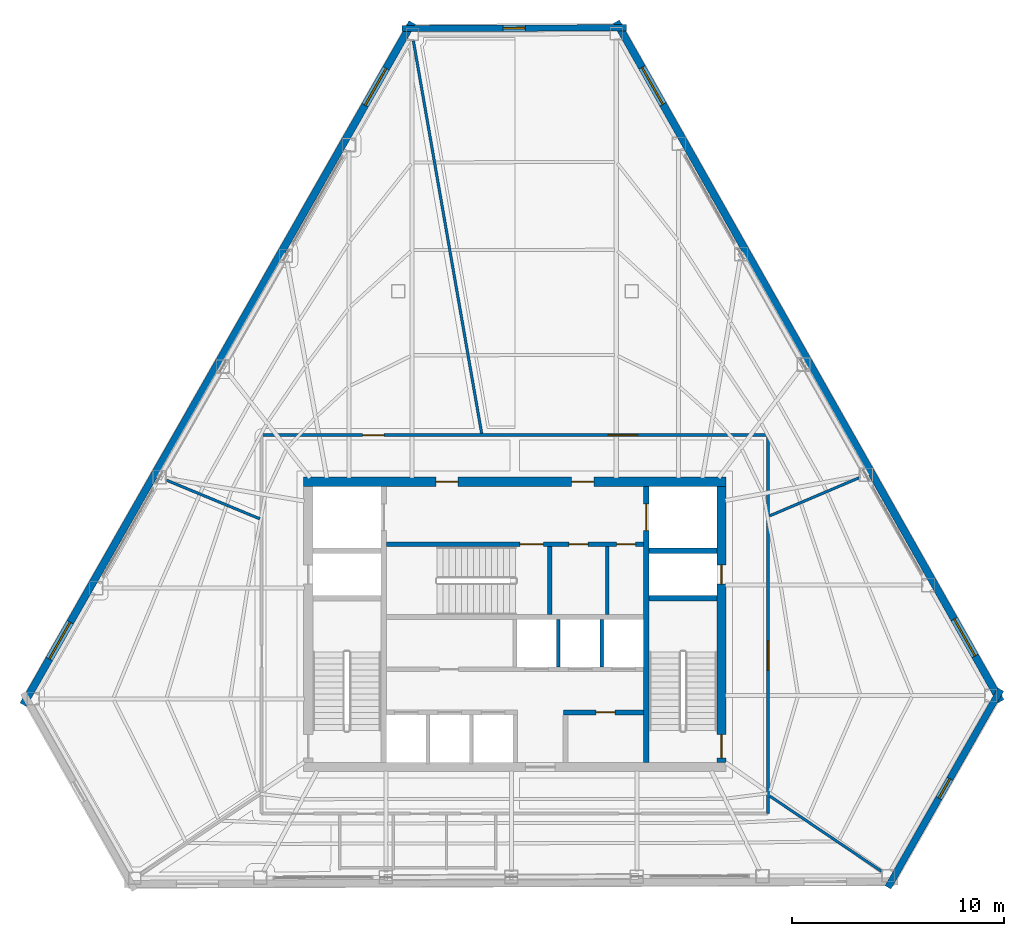
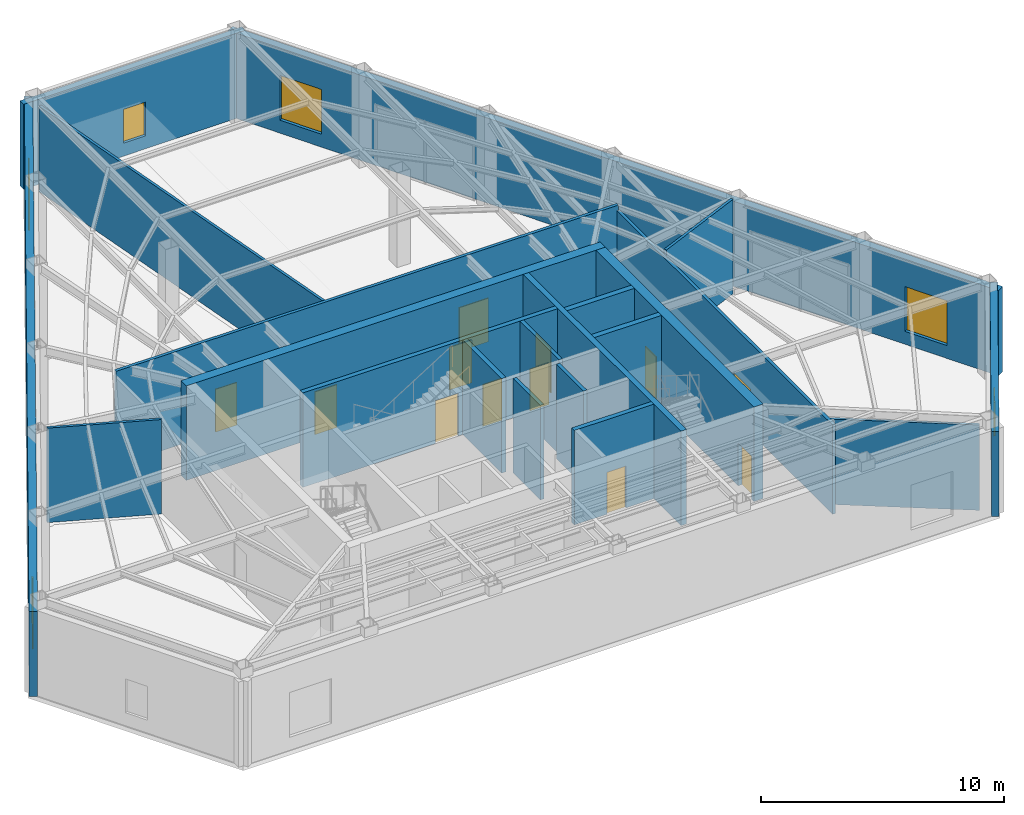
# One storey, part 11 of 14: 21 walls, 12 doors, 6 windows, 18 openings.
"""IFC4 building model written with IfcOpenShell, lengths in metres."""

from ifc_helpers import new_model, si_unit, direction, frame, frame_2d, origin, place, context, subcontext, project, spatial, rectangle, extrude, material, layer, layer_set, type_object, element, fill, save


model = new_model("IFC4")

# Units and contexts
model_context = context("Model", 3, precision=1e-05, world=origin(), true_north=direction((0.0, 1.0)))
body_context = subcontext(model_context, "Body", "Model", "MODEL_VIEW")
ifc_project = project(units=[si_unit("LENGTHUNIT", "METRE"), si_unit("AREAUNIT", "SQUARE_METRE"), si_unit("VOLUMEUNIT", "CUBIC_METRE"), si_unit("PLANEANGLEUNIT", "RADIAN"), si_unit("MASSUNIT", "GRAM", prefix="KILO")], contexts=[model_context])

# Site, building, storey
site_placement = place(None, origin())
site = spatial("IfcSite", under=ifc_project, at=site_placement, CompositionType="ELEMENT")
building_placement = place(site_placement, origin())
building = spatial("IfcBuilding", under=site, at=building_placement, Name="Kavelnor Concourse Tower", CompositionType="ELEMENT")
storey_placement = place(building_placement, frame((0.0, 0.0, 160.0)))
storey = spatial("IfcBuildingStorey", under=building, at=storey_placement, Name="L40", CompositionType="ELEMENT", Elevation=160.0)

# Wall, openings, doors
ifc_material_1 = material(Name="Concrete C50/60", Category="concrete")
ifc_layer_1 = layer(ifc_material_1, 0.43994140625, Name="Concrete C50/60")
ifc_layer_set_1 = layer_set([ifc_layer_1], Name="Concrete C50/60")
wall_type_1 = type_object("IfcWallType", Name="WL-CORE-Z3-440", PredefinedType="SOLIDWALL", material=ifc_layer_set_1)
wall_1_placement = place(storey_placement, frame((28.0400390625, 22.820068359375, 0.0), z_axis=(0.0, 0.0, 1.0), x_axis=(1.0, 0.0, 0.0)))
wall_1 = element("IfcWall", 1, at=wall_1_placement, inside=storey, type_object=wall_type_1, Name="L40 Central Core North Shear Wall", PredefinedType="SOLIDWALL", context=body_context, shape_type="SweptSolid", body=[
    extrude(rectangle(XDim=19.919921875, YDim=0.43994140625, at=frame_2d((9.9599609375, 0.0))), origin(), (0.0, 0.0, 1.0), 4.75),
])
opening_1_placement = place(wall_1_placement, frame((6.235107421875, 0.0, 0.0)))
opening_1 = element("IfcOpeningElement", 2, at=opening_1_placement, cuts=wall_1, Name="Opening FD-105", PredefinedType="OPENING", context=body_context, shape_type="SweptSolid", body=[
    extrude(rectangle(XDim=1.050048828125, YDim=2.14990234375, at=frame_2d((0.52490234375, 1.074951171875))), frame((0.0, 0.22998046875, 0.0), z_axis=(0.0, -1.0, 0.0), x_axis=(1.0, 0.0, 0.0)), (0.0, 0.0, 1.0), 0.4599609375),
])
opening_2_placement = place(wall_1_placement, frame((12.635009765625, 0.0, 0.0)))
opening_2 = element("IfcOpeningElement", 3, at=opening_2_placement, cuts=wall_1, Name="Opening FD-105", PredefinedType="OPENING", context=body_context, shape_type="SweptSolid", body=[
    extrude(rectangle(XDim=1.050048828125, YDim=2.14990234375, at=frame_2d((0.52490234375, 1.074951171875))), frame((0.0, 0.22998046875, 0.0), z_axis=(0.0, -1.0, 0.0), x_axis=(1.0, 0.0, 0.0)), (0.0, 0.0, 1.0), 0.4599609375),
])
ifc_material_2 = material(Name="Steel Grade 350", Category="steel")
door_type_1 = type_object("IfcDoorType", Name="DR-LOBBY-FIRE-1050", OperationType="NOTDEFINED", PredefinedType="DOOR", material=ifc_material_2)
door_1_placement = place(opening_1_placement, origin())
door_1 = element("IfcDoor", 4, at=door_1_placement, inside=storey, type_object=door_type_1, Name="L40 Emergency Lift Lobby West Door", OperationType="SINGLE_SWING_LEFT", OverallHeight=2.14990234375, OverallWidth=1.050048828125, PredefinedType="DOOR", context=body_context, shape_type="SweptSolid", body=[
    extrude(rectangle(XDim=1.050048828125, YDim=2.14990234375, at=frame_2d((0.52490234375, 1.074951171875))), frame((0.0, 0.02490234375, 0.0), z_axis=(0.0, -1.0, 0.0), x_axis=(1.0, 0.0, 0.0)), (0.0, 0.0, 1.0), 0.050048828125),
])
fill(opening_1, door_1)
door_2_placement = place(opening_2_placement, origin())
door_2 = element("IfcDoor", 5, at=door_2_placement, inside=storey, type_object=door_type_1, Name="L40 Emergency Lift Lobby East Door", OperationType="SINGLE_SWING_RIGHT", OverallHeight=2.14990234375, OverallWidth=1.050048828125, PredefinedType="DOOR", context=body_context, shape_type="SweptSolid", body=[
    extrude(rectangle(XDim=1.050048828125, YDim=2.14990234375, at=frame_2d((0.52490234375, 1.074951171875))), frame((0.0, 0.02490234375, 0.0), z_axis=(0.0, -1.0, 0.0), x_axis=(1.0, 0.0, 0.0)), (0.0, 0.0, 1.0), 0.050048828125),
])
fill(opening_2, door_2)

wall_2_placement = place(storey_placement, frame((47.739990234375, 9.60009765625, 0.0), z_axis=(0.0, 0.0, 1.0), x_axis=(0.0, 1.0, 0.0)))
wall_2 = element("IfcWall", 6, at=wall_2_placement, inside=storey, type_object=wall_type_1, Name="L40 Central Core East Shear Wall", PredefinedType="SOLIDWALL", context=body_context, shape_type="SweptSolid", body=[
    extrude(rectangle(XDim=13.0, YDim=0.43994140625, at=frame_2d((6.5, 0.0))), origin(), (0.0, 0.0, 1.0), 4.75),
])
opening_3_placement = place(wall_2_placement, frame((0.199951171875, 0.0, 0.0)))
opening_3 = element("IfcOpeningElement", 7, at=opening_3_placement, cuts=wall_2, Name="Opening FD-110", PredefinedType="OPENING", context=body_context, shape_type="SweptSolid", body=[
    extrude(rectangle(XDim=1.10009765625, YDim=2.14990234375, at=frame_2d((0.550048828125, 1.074951171875))), frame((0.0, 0.22998046875, 0.0), z_axis=(0.0, -1.0, 0.0), x_axis=(1.0, 0.0, 0.0)), (0.0, 0.0, 1.0), 0.4599609375),
])
opening_4_placement = place(wall_2_placement, frame((8.39990234375, 0.0, 0.0)))
opening_4 = element("IfcOpeningElement", 8, at=opening_4_placement, cuts=wall_2, Name="Opening FD-090", PredefinedType="OPENING", context=body_context, shape_type="SweptSolid", body=[
    extrude(rectangle(XDim=0.89990234375, YDim=2.10009765625, at=frame_2d((0.449951171875, 1.050048828125))), frame((0.0, 0.22998046875, 0.0), z_axis=(0.0, -1.0, 0.0), x_axis=(1.0, 0.0, 0.0)), (0.0, 0.0, 1.0), 0.4599609375),
])
door_type_2 = type_object("IfcDoorType", Name="DR-RISER-FIRE-900", OperationType="NOTDEFINED", PredefinedType="DOOR", material=ifc_material_2)
door_3_placement = place(opening_4_placement, origin())
door_3 = element("IfcDoor", 9, at=door_3_placement, inside=storey, type_object=door_type_2, Name="L40 East Riser Access Door", OperationType="SINGLE_SWING_LEFT", OverallHeight=2.10009765625, OverallWidth=0.89990234375, PredefinedType="DOOR", context=body_context, shape_type="SweptSolid", body=[
    extrude(rectangle(XDim=0.89990234375, YDim=2.10009765625, at=frame_2d((0.449951171875, 1.050048828125))), frame((0.0, 0.02490234375, 0.0), z_axis=(0.0, -1.0, 0.0), x_axis=(1.0, 0.0, 0.0)), (0.0, 0.0, 1.0), 0.050048828125),
])
fill(opening_4, door_3)
door_type_3 = type_object("IfcDoorType", Name="DR-STAIR-FIRE-1100", OperationType="NOTDEFINED", PredefinedType="DOOR", material=ifc_material_2)
door_4_placement = place(opening_3_placement, origin())
door_4 = element("IfcDoor", 10, at=door_4_placement, inside=storey, type_object=door_type_3, Name="L40 Stair ST2 Fire Door", OperationType="SINGLE_SWING_RIGHT", OverallHeight=2.14990234375, OverallWidth=1.10009765625, PredefinedType="DOOR", context=body_context, shape_type="SweptSolid", body=[
    extrude(rectangle(XDim=1.10009765625, YDim=2.14990234375, at=frame_2d((0.550048828125, 1.074951171875))), frame((0.0, 0.02490234375, 0.0), z_axis=(0.0, -1.0, 0.0), x_axis=(1.0, 0.0, 0.0)), (0.0, 0.0, 1.0), 0.050048828125),
])
fill(opening_3, door_4)

# Wall, opening, window
ifc_material_3 = material(Name="Buff ironspot clay face brick masonry", Category="masonry")
ifc_layer_2 = layer(ifc_material_3, 0.300048828125, Name="Buff ironspot clay face brick masonry")
ifc_layer_set_2 = layer_set([ifc_layer_2], Name="Buff ironspot clay face brick masonry")
wall_type_2 = type_object("IfcWallType", Name="WL-EXT-BUFF-BRICK-FOLD-300", PredefinedType="STANDARD", material=ifc_layer_set_2)
wall_3_placement = place(storey_placement, frame((32.68310546875, 44.184814453125, 0.0), z_axis=(0.0, 0.0, 1.0), x_axis=(0.9999942421, 0.003393488933, 0.0)))
wall_3 = element("IfcWall", 11, at=wall_3_placement, inside=storey, type_object=wall_type_2, Name="L40 Exterior Brick Facade Wall E0", PredefinedType="STANDARD", context=body_context, shape_type="SweptSolid", body=[
    extrude(rectangle(XDim=10.57568359375, YDim=0.300048828125, at=frame_2d((5.287841796875, 0.0))), origin(), (0.0, 0.0, 1.0), 4.281982421875),
])
opening_5_placement = place(wall_3_placement, frame((4.762939453125, 0.0, 0.64990234375)))
opening_5 = element("IfcOpeningElement", 12, at=opening_5_placement, cuts=wall_3, Name="Opening W-06", PredefinedType="OPENING", context=body_context, shape_type="SweptSolid", body=[
    extrude(rectangle(XDim=1.050048828125, YDim=1.699951171875, at=frame_2d((0.52490234375, 0.85009765625))), frame((0.0, 0.16015625, 0.0), z_axis=(0.0, -1.0, 0.0), x_axis=(1.0, 0.0, 0.0)), (0.0, 0.0, 1.0), 0.320068359375),
])
ifc_material_4 = material(Name="Double low-E argon insulated glazing", Category="glass")
window_type_1 = type_object("IfcWindowType", Name="WIN-FOLD-1050", PartitioningType="SINGLE_PANEL", PredefinedType="WINDOW", material=ifc_material_4)
window_1_placement = place(opening_5_placement, origin())
window_1 = element("IfcWindow", 13, at=window_1_placement, inside=storey, type_object=window_type_1, Name="L40 Chamfer-Fold Facet Window C0", OverallHeight=1.699951171875, OverallWidth=1.050048828125, PartitioningType="SINGLE_PANEL", PredefinedType="WINDOW", context=body_context, shape_type="SweptSolid", body=[
    extrude(rectangle(XDim=1.050048828125, YDim=1.699951171875, at=frame_2d((0.52490234375, 0.85009765625))), frame((0.0, 0.030029296875, 0.0), z_axis=(0.0, -1.0, 0.0), x_axis=(1.0, 0.0, 0.0)), (0.0, 0.0, 1.0), 0.06005859375),
])
fill(opening_5, window_1)

ifc_layer_3 = layer(ifc_material_3, 0.320068359375, Name="Buff ironspot clay face brick masonry")
ifc_layer_set_3 = layer_set([ifc_layer_3], Name="Buff ironspot clay face brick masonry")
wall_type_3 = type_object("IfcWallType", Name="WL-EXT-BUFF-BRICK-SPANDREL-320", PredefinedType="STANDARD", material=ifc_layer_set_3)
wall_4_placement = place(storey_placement, frame((60.902587890625, 13.025634765625, 0.0), z_axis=(0.0, 0.0, 1.0), x_axis=(-0.495408589086, -0.86866007728, 0.0)))
wall_4 = element("IfcWall", 14, at=wall_4_placement, inside=storey, type_object=wall_type_3, Name="L40 Exterior Brick Facade Wall E4", PredefinedType="STANDARD", context=body_context, shape_type="SweptSolid", body=[
    extrude(rectangle(XDim=10.73046875, YDim=0.320068359375, at=frame_2d((5.365234375, 0.0))), origin(), (0.0, 0.0, 1.0), 4.281982421875),
])
opening_6_placement = place(wall_4_placement, frame((4.840087890625, 0.0, 0.64990234375)))
opening_6 = element("IfcOpeningElement", 15, at=opening_6_placement, cuts=wall_4, Name="Opening W-06", PredefinedType="OPENING", context=body_context, shape_type="SweptSolid", body=[
    extrude(rectangle(XDim=1.050048828125, YDim=1.699951171875, at=frame_2d((0.52490234375, 0.85009765625))), frame((0.0, 0.169921875, 0.0), z_axis=(0.0, -1.0, 0.0), x_axis=(1.0, 0.0, 0.0)), (0.0, 0.0, 1.0), 0.340087890625),
])
window_2_placement = place(opening_6_placement, origin())
window_2 = element("IfcWindow", 16, at=window_2_placement, inside=storey, type_object=window_type_1, Name="L40 Chamfer-Fold Facet Window C2", OverallHeight=1.699951171875, OverallWidth=1.050048828125, PartitioningType="SINGLE_PANEL", PredefinedType="WINDOW", context=body_context, shape_type="SweptSolid", body=[
    extrude(rectangle(XDim=1.050048828125, YDim=1.699951171875, at=frame_2d((0.52490234375, 0.85009765625))), frame((0.0, 0.030029296875, 0.0), z_axis=(0.0, -1.0, 0.0), x_axis=(1.0, 0.0, 0.0)), (0.0, 0.0, 1.0), 0.06005859375),
])
fill(opening_6, window_2)

# Wall, openings, windows
ifc_material_5 = material(Name="Red-ochre clay face brick masonry", Category="masonry")
ifc_layer_4 = layer(ifc_material_5, 0.35009765625, Name="Red-ochre clay face brick masonry")
ifc_layer_set_4 = layer_set([ifc_layer_4], Name="Red-ochre clay face brick masonry")
wall_type_4 = type_object("IfcWallType", Name="WL-EXT-RED-BRICK-PIER-350", PredefinedType="STANDARD", material=ifc_layer_set_4)
wall_5_placement = place(storey_placement, frame((14.8271484375, 12.31396484375, 0.0), z_axis=(0.0, 0.0, 1.0), x_axis=(0.495417756307, 0.868654849026, 0.0)))
wall_5 = element("IfcWall", 17, at=wall_5_placement, inside=storey, type_object=wall_type_4, Name="L40 Exterior Brick Facade Wall E1", PredefinedType="STANDARD", context=body_context, shape_type="SweptSolid", body=[
    extrude(rectangle(XDim=37.012451171875, YDim=0.35009765625, at=frame_2d((18.50634765625, 0.0))), origin(), (0.0, 0.0, 1.0), 4.281982421875),
])
opening_7_placement = place(wall_5_placement, frame((32.52978515625, 0.0, 0.64990234375)))
opening_7 = element("IfcOpeningElement", 18, at=opening_7_placement, cuts=wall_5, Name="Opening W-07", PredefinedType="OPENING", context=body_context, shape_type="SweptSolid", body=[
    extrude(rectangle(XDim=2.0, YDim=2.25, at=frame_2d((1.0, 1.125))), frame((0.0, 0.18505859375, 0.0), z_axis=(0.0, -1.0, 0.0), x_axis=(1.0, 0.0, 0.0)), (0.0, 0.0, 1.0), 0.3701171875),
])
opening_8_placement = place(wall_5_placement, frame((2.477783203125, 0.0, 0.64990234375)))
opening_8 = element("IfcOpeningElement", 19, at=opening_8_placement, cuts=wall_5, Name="Opening W-07", PredefinedType="OPENING", context=body_context, shape_type="SweptSolid", body=[
    extrude(rectangle(XDim=2.0, YDim=2.25, at=frame_2d((1.0, 1.125))), frame((0.0, 0.18505859375, 0.0), z_axis=(0.0, -1.0, 0.0), x_axis=(1.0, 0.0, 0.0)), (0.0, 0.0, 1.0), 0.3701171875),
])
window_type_2 = type_object("IfcWindowType", Name="WIN-SKYLOBBY-2200", PartitioningType="SINGLE_PANEL", PredefinedType="WINDOW", material=ifc_material_4)
window_3_placement = place(opening_7_placement, origin())
window_3 = element("IfcWindow", 20, at=window_3_placement, inside=storey, type_object=window_type_2, Name="L40 Deep-Set Brick Pier Window F0-B0", OverallHeight=2.25, OverallWidth=2.0, PartitioningType="SINGLE_PANEL", PredefinedType="WINDOW", context=body_context, shape_type="SweptSolid", body=[
    extrude(rectangle(XDim=2.0, YDim=2.25, at=frame_2d((1.0, 1.125))), frame((0.0, 0.030029296875, 0.0), z_axis=(0.0, -1.0, 0.0), x_axis=(1.0, 0.0, 0.0)), (0.0, 0.0, 1.0), 0.06005859375),
])
fill(opening_7, window_3)
window_4_placement = place(opening_8_placement, origin())
window_4 = element("IfcWindow", 21, at=window_4_placement, inside=storey, type_object=window_type_2, Name="L40 Deep-Set Brick Pier Window F0-B5", OverallHeight=2.25, OverallWidth=2.0, PartitioningType="SINGLE_PANEL", PredefinedType="WINDOW", context=body_context, shape_type="SweptSolid", body=[
    extrude(rectangle(XDim=2.0, YDim=2.25, at=frame_2d((1.0, 1.125))), frame((0.0, 0.030029296875, 0.0), z_axis=(0.0, -1.0, 0.0), x_axis=(1.0, 0.0, 0.0)), (0.0, 0.0, 1.0), 0.06005859375),
])
fill(opening_8, window_4)

wall_6_placement = place(storey_placement, frame((42.77685546875, 44.50048828125, 0.0), z_axis=(0.0, 0.0, 1.0), x_axis=(0.492483231086, -0.870321933022, 0.0)))
wall_6 = element("IfcWall", 22, at=wall_6_placement, inside=storey, type_object=wall_type_4, Name="L40 Exterior Brick Facade Wall E5", PredefinedType="STANDARD", context=body_context, shape_type="SweptSolid", body=[
    extrude(rectangle(XDim=36.802734375, YDim=0.35009765625, at=frame_2d((18.4013671875, 0.0))), origin(), (0.0, 0.0, 1.0), 4.281982421875),
])
opening_9_placement = place(wall_6_placement, frame((32.342529296875, 0.0, 0.64990234375)))
opening_9 = element("IfcOpeningElement", 23, at=opening_9_placement, cuts=wall_6, Name="Opening W-07", PredefinedType="OPENING", context=body_context, shape_type="SweptSolid", body=[
    extrude(rectangle(XDim=2.0, YDim=2.25, at=frame_2d((1.0, 1.125))), frame((0.0, 0.18505859375, 0.0), z_axis=(0.0, -1.0, 0.0), x_axis=(1.0, 0.0, 0.0)), (0.0, 0.0, 1.0), 0.3701171875),
])
opening_10_placement = place(wall_6_placement, frame((2.46826171875, 0.0, 0.64990234375)))
opening_10 = element("IfcOpeningElement", 24, at=opening_10_placement, cuts=wall_6, Name="Opening W-07", PredefinedType="OPENING", context=body_context, shape_type="SweptSolid", body=[
    extrude(rectangle(XDim=2.0, YDim=2.25, at=frame_2d((1.0, 1.125))), frame((0.0, 0.18505859375, 0.0), z_axis=(0.0, -1.0, 0.0), x_axis=(1.0, 0.0, 0.0)), (0.0, 0.0, 1.0), 0.3701171875),
])
window_5_placement = place(opening_9_placement, origin())
window_5 = element("IfcWindow", 25, at=window_5_placement, inside=storey, type_object=window_type_2, Name="L40 Deep-Set Brick Pier Window F2-B0", OverallHeight=2.25, OverallWidth=2.0, PartitioningType="SINGLE_PANEL", PredefinedType="WINDOW", context=body_context, shape_type="SweptSolid", body=[
    extrude(rectangle(XDim=2.0, YDim=2.25, at=frame_2d((1.0, 1.125))), frame((0.0, 0.030029296875, 0.0), z_axis=(0.0, -1.0, 0.0), x_axis=(1.0, 0.0, 0.0)), (0.0, 0.0, 1.0), 0.06005859375),
])
fill(opening_9, window_5)
window_6_placement = place(opening_10_placement, origin())
window_6 = element("IfcWindow", 26, at=window_6_placement, inside=storey, type_object=window_type_2, Name="L40 Deep-Set Brick Pier Window F2-B5", OverallHeight=2.25, OverallWidth=2.0, PartitioningType="SINGLE_PANEL", PredefinedType="WINDOW", context=body_context, shape_type="SweptSolid", body=[
    extrude(rectangle(XDim=2.0, YDim=2.25, at=frame_2d((1.0, 1.125))), frame((0.0, 0.030029296875, 0.0), z_axis=(0.0, -1.0, 0.0), x_axis=(1.0, 0.0, 0.0)), (0.0, 0.0, 1.0), 0.06005859375),
])
fill(opening_10, window_6)

# Wall, opening, door
ifc_material_6 = material(Name="Gypsum plasterboard on light-gauge steel studs", Category="steel")
ifc_layer_5 = layer(ifc_material_6, 0.14501953125, Name="Gypsum plasterboard on light-gauge steel studs")
ifc_layer_set_5 = layer_set([ifc_layer_5], Name="Gypsum plasterboard on light-gauge steel studs")
wall_type_5 = type_object("IfcWallType", Name="WL-INT-CORR-145", PredefinedType="PARTITIONING", material=ifc_layer_set_5)
wall_7_placement = place(storey_placement, frame((49.93994140625, 7.179931640625, 0.0), z_axis=(0.0, 0.0, 1.0), x_axis=(0.0, 1.0, 0.0)))
wall_7 = element("IfcWall", 27, at=wall_7_placement, inside=storey, type_object=wall_type_5, Name="L40 Corridor Wall WL-L40-CR-01", PredefinedType="PARTITIONING", context=body_context, shape_type="SweptSolid", body=[
    extrude(rectangle(XDim=17.840087890625, YDim=0.14501953125, at=frame_2d((8.919921875, 0.0))), origin(), (0.0, 0.0, 1.0), 4.489013671875),
])
opening_11_placement = place(wall_7_placement, frame((6.755615234375, 0.0, 0.0)))
opening_11 = element("IfcOpeningElement", 28, at=opening_11_placement, cuts=wall_7, Name="Opening SD-140", PredefinedType="OPENING", context=body_context, shape_type="SweptSolid", body=[
    extrude(rectangle(XDim=1.39990234375, YDim=2.199951171875, at=frame_2d((0.699951171875, 1.10009765625))), frame((0.0, 0.08251953125, 0.0), z_axis=(0.0, -1.0, 0.0), x_axis=(1.0, 0.0, 0.0)), (0.0, 0.0, 1.0), 0.1650390625),
])
ifc_material_7 = material(Name="Solid-core hardwood timber", Category="wood")
door_type_4 = type_object("IfcDoorType", Name="DR-SUITE-ENTRY-1400", OperationType="NOTDEFINED", PredefinedType="DOOR", material=ifc_material_7)
door_5_placement = place(opening_11_placement, origin())
door_5 = element("IfcDoor", 29, at=door_5_placement, inside=storey, type_object=door_type_4, Name="L40 Mid-Tower Catering Pantry 06 Door", OperationType="SINGLE_SWING_LEFT", OverallHeight=2.199951171875, OverallWidth=1.39990234375, PredefinedType="DOOR", context=body_context, shape_type="SweptSolid", body=[
    extrude(rectangle(XDim=1.39990234375, YDim=2.199951171875, at=frame_2d((0.699951171875, 1.10009765625))), frame((0.0, 0.02490234375, 0.0), z_axis=(0.0, -1.0, 0.0), x_axis=(1.0, 0.0, 0.0)), (0.0, 0.0, 1.0), 0.050048828125),
])
fill(opening_11, door_5)

# Wall, openings, doors
wall_8_placement = place(storey_placement, frame((49.93994140625, 25.02001953125, 0.0), z_axis=(0.0, 0.0, 1.0), x_axis=(-1.0, 0.0, 0.0)))
wall_8 = element("IfcWall", 30, at=wall_8_placement, inside=storey, type_object=wall_type_5, Name="L40 Corridor Wall WL-L40-CR-02", PredefinedType="PARTITIONING", context=body_context, shape_type="SweptSolid", body=[
    extrude(rectangle(XDim=23.8798828125, YDim=0.14501953125, at=frame_2d((11.93994140625, 0.0))), origin(), (0.0, 0.0, 1.0), 4.75),
])
opening_12_placement = place(wall_8_placement, frame((6.137939453125, 0.0, 0.0)))
opening_12 = element("IfcOpeningElement", 31, at=opening_12_placement, cuts=wall_8, Name="Opening SD-140", PredefinedType="OPENING", context=body_context, shape_type="SweptSolid", body=[
    extrude(rectangle(XDim=1.39990234375, YDim=2.199951171875, at=frame_2d((0.699951171875, 1.10009765625))), frame((0.0, 0.08251953125, 0.0), z_axis=(0.0, -1.0, 0.0), x_axis=(1.0, 0.0, 0.0)), (0.0, 0.0, 1.0), 0.1650390625),
])
opening_13_placement = place(wall_8_placement, frame((18.097900390625, 0.0, 0.0)))
opening_13 = element("IfcOpeningElement", 32, at=opening_13_placement, cuts=wall_8, Name="Opening MD-102", PredefinedType="OPENING", context=body_context, shape_type="SweptSolid", body=[
    extrude(rectangle(XDim=1.02001953125, YDim=2.14990234375, at=frame_2d((0.510009765625, 1.074951171875))), frame((0.0, 0.08251953125, 0.0), z_axis=(0.0, -1.0, 0.0), x_axis=(1.0, 0.0, 0.0)), (0.0, 0.0, 1.0), 0.1650390625),
])
ifc_material_8 = material(Name="Acoustic glazed timber frame", Category="wood")
door_type_5 = type_object("IfcDoorType", Name="DR-MEETING-1020", OperationType="NOTDEFINED", PredefinedType="DOOR", material=ifc_material_8)
door_6_placement = place(opening_13_placement, origin())
door_6 = element("IfcDoor", 33, at=door_6_placement, inside=storey, type_object=door_type_5, Name="L40 Mid-Tower Boardroom 02 Door", OperationType="SINGLE_SWING_LEFT", OverallHeight=2.14990234375, OverallWidth=1.02001953125, PredefinedType="DOOR", context=body_context, shape_type="SweptSolid", body=[
    extrude(rectangle(XDim=1.02001953125, YDim=2.14990234375, at=frame_2d((0.510009765625, 1.074951171875))), frame((0.0, 0.02490234375, 0.0), z_axis=(0.0, -1.0, 0.0), x_axis=(1.0, 0.0, 0.0)), (0.0, 0.0, 1.0), 0.050048828125),
])
fill(opening_13, door_6)
door_7_placement = place(opening_12_placement, origin())
door_7 = element("IfcDoor", 34, at=door_7_placement, inside=storey, type_object=door_type_4, Name="L40 Mid-Tower Reception Foyer 01 Door", OperationType="SINGLE_SWING_RIGHT", OverallHeight=2.199951171875, OverallWidth=1.39990234375, PredefinedType="DOOR", context=body_context, shape_type="SweptSolid", body=[
    extrude(rectangle(XDim=1.39990234375, YDim=2.199951171875, at=frame_2d((0.699951171875, 1.10009765625))), frame((0.0, 0.02490234375, 0.0), z_axis=(0.0, -1.0, 0.0), x_axis=(1.0, 0.0, 0.0)), (0.0, 0.0, 1.0), 0.050048828125),
])
fill(opening_12, door_7)

# Walls
ifc_layer_6 = layer(ifc_material_6, 0.1650390625, Name="Gypsum plasterboard on light-gauge steel studs")
ifc_layer_set_6 = layer_set([ifc_layer_6], Name="Gypsum plasterboard on light-gauge steel studs")
wall_type_6 = type_object("IfcWallType", Name="WL-INT-FIRE-165", PredefinedType="PARTITIONING", material=ifc_layer_set_6)
for number, where, z_axis, x_axis, name in (
    (35, (40.050048828125, 14.10009765625, 0.0), (0.0, 0.0, 1.0), (0.0, 1.0, 0.0), "L40 Lift Shaft Divider LP4"),
    (36, (42.10009765625, 14.10009765625, 0.0), (0.0, 0.0, 1.0), (0.0, 1.0, 0.0), "L40 Lift Shaft Divider LP5"),
):
    element("IfcWall", number, at=place(storey_placement, frame(where, z_axis=z_axis, x_axis=x_axis)), inside=storey, type_object=wall_type_6, Name=name, PredefinedType="PARTITIONING", context=body_context, shape_type="SweptSolid", body=[
        extrude(rectangle(XDim=2.239990234375, YDim=0.1650390625, at=frame_2d((1.1201171875, 0.0))), origin(), (0.0, 0.0, 1.0), 4.75),
    ])
wall_9_placement = place(storey_placement, frame((42.35009765625, 16.56005859375, 0.0), z_axis=(0.0, 0.0, 1.0), x_axis=(0.0, 1.0, 0.0)))
element("IfcWall", 37, at=wall_9_placement, inside=storey, type_object=wall_type_6, Name="L40 Core Support Asymmetric Divider", PredefinedType="PARTITIONING", context=body_context, shape_type="SweptSolid", body=[
    extrude(rectangle(XDim=3.199951171875, YDim=0.1650390625, at=frame_2d((1.60009765625, 0.0))), origin(), (0.0, 0.0, 1.0), 4.75),
])
ifc_layer_7 = layer(ifc_material_6, 0.125, Name="Gypsum plasterboard on light-gauge steel studs")
ifc_layer_set_7 = layer_set([ifc_layer_7], Name="Gypsum plasterboard on light-gauge steel studs")
wall_type_7 = type_object("IfcWallType", Name="WL-INT-SUITE-125", PredefinedType="PARTITIONING", material=ifc_layer_set_7)
wall_10_placement = place(storey_placement, frame((50.0205078125, 21.22021484375, 0.0), z_axis=(0.0, 0.0, 1.0), x_axis=(0.920036117829, 0.391833564016, 0.0)))
element("IfcWall", 38, at=wall_10_placement, inside=storey, type_object=wall_type_7, Name="L40 Radial Suite Partition 01", PredefinedType="PARTITIONING", context=body_context, shape_type="SweptSolid", body=[
    extrude(rectangle(XDim=4.565185546875, YDim=0.125, at=frame_2d((2.28271484375, 0.0))), origin(), (0.0, 0.0, 1.0), 4.75),
])
wall_11_placement = place(storey_placement, frame((36.4345703125, 25.1005859375, 0.0), z_axis=(0.0, 0.0, 1.0), x_axis=(-0.171366403796, 0.985207366827, 0.0)))
element("IfcWall", 39, at=wall_11_placement, inside=storey, type_object=wall_type_7, Name="L40 Radial Suite Partition 02", PredefinedType="PARTITIONING", context=body_context, shape_type="SweptSolid", body=[
    extrude(rectangle(XDim=18.78564453125, YDim=0.125, at=frame_2d((9.392822265625, 0.0))), origin(), (0.0, 0.0, 1.0), 4.291015625),
])
wall_12_placement = place(storey_placement, frame((25.9794921875, 21.075439453125, 0.0), z_axis=(0.0, 0.0, 1.0), x_axis=(-0.923966237797, 0.38247404018, 0.0)))
element("IfcWall", 40, at=wall_12_placement, inside=storey, type_object=wall_type_7, Name="L40 Radial Suite Partition 03", PredefinedType="PARTITIONING", context=body_context, shape_type="SweptSolid", body=[
    extrude(rectangle(XDim=4.762451171875, YDim=0.125, at=frame_2d((2.38134765625, 0.0))), origin(), (0.0, 0.0, 1.0), 4.75),
])
wall_13_placement = place(storey_placement, frame((50.0205078125, 8.00390625, 0.0), z_axis=(0.0, 0.0, 1.0), x_axis=(0.8294114468, -0.55863821201, 0.0)))
element("IfcWall", 41, at=wall_13_placement, inside=storey, type_object=wall_type_7, Name="L40 Radial Suite Partition 05", PredefinedType="PARTITIONING", context=body_context, shape_type="SweptSolid", body=[
    extrude(rectangle(XDim=6.342041015625, YDim=0.125, at=frame_2d((3.1708984375, 0.0))), origin(), (0.0, 0.0, 1.0), 4.291015625),
])

# Wall, openings, doors
ifc_layer_8 = layer(ifc_material_1, 0.219970703125, Name="Concrete C50/60")
ifc_layer_set_8 = layer_set([ifc_layer_8], Name="Concrete C50/60")
wall_type_8 = type_object("IfcWallType", Name="WL-SHAFT-220", PredefinedType="SOLIDWALL", material=ifc_layer_set_8)
wall_14_placement = place(storey_placement, frame((31.93994140625, 19.8701171875, 0.0), z_axis=(0.0, 0.0, 1.0), x_axis=(1.0, 0.0, 0.0)))
wall_14 = element("IfcWall", 42, at=wall_14_placement, inside=storey, type_object=wall_type_8, Name="L40 Emergency Lift Lobby South Wall", PredefinedType="SOLIDWALL", context=body_context, shape_type="SweptSolid", body=[
    extrude(rectangle(XDim=12.1201171875, YDim=0.219970703125, at=frame_2d((6.06005859375, 0.0))), origin(), (0.0, 0.0, 1.0), 4.75),
])
opening_14_placement = place(wall_14_placement, frame((6.300048828125, 0.0, 0.0)))
opening_14 = element("IfcOpeningElement", 43, at=opening_14_placement, cuts=wall_14, Name="Opening FD-110", PredefinedType="OPENING", context=body_context, shape_type="SweptSolid", body=[
    extrude(rectangle(XDim=1.10009765625, YDim=2.14990234375, at=frame_2d((0.550048828125, 1.074951171875))), frame((0.0, 0.1201171875, 0.0), z_axis=(0.0, -1.0, 0.0), x_axis=(1.0, 0.0, 0.0)), (0.0, 0.0, 1.0), 0.239990234375),
])
opening_15_placement = place(wall_14_placement, frame((8.610107421875, 0.0, 0.0)))
opening_15 = element("IfcOpeningElement", 44, at=opening_15_placement, cuts=wall_14, Name="Opening FD-090", PredefinedType="OPENING", context=body_context, shape_type="SweptSolid", body=[
    extrude(rectangle(XDim=0.89990234375, YDim=2.10009765625, at=frame_2d((0.449951171875, 1.050048828125))), frame((0.0, 0.1201171875, 0.0), z_axis=(0.0, -1.0, 0.0), x_axis=(1.0, 0.0, 0.0)), (0.0, 0.0, 1.0), 0.239990234375),
])
opening_16_placement = place(wall_14_placement, frame((10.85009765625, 0.0, 0.0)))
opening_16 = element("IfcOpeningElement", 45, at=opening_16_placement, cuts=wall_14, Name="Opening FD-090", PredefinedType="OPENING", context=body_context, shape_type="SweptSolid", body=[
    extrude(rectangle(XDim=0.89990234375, YDim=2.10009765625, at=frame_2d((0.449951171875, 1.050048828125))), frame((0.0, 0.1201171875, 0.0), z_axis=(0.0, -1.0, 0.0), x_axis=(1.0, 0.0, 0.0)), (0.0, 0.0, 1.0), 0.239990234375),
])
door_8_placement = place(opening_15_placement, origin())
door_8 = element("IfcDoor", 46, at=door_8_placement, inside=storey, type_object=door_type_2, Name="L40 Electrical Room Door", OperationType="SINGLE_SWING_LEFT", OverallHeight=2.10009765625, OverallWidth=0.89990234375, PredefinedType="DOOR", context=body_context, shape_type="SweptSolid", body=[
    extrude(rectangle(XDim=0.89990234375, YDim=2.10009765625, at=frame_2d((0.449951171875, 1.050048828125))), frame((0.0, 0.02490234375, 0.0), z_axis=(0.0, -1.0, 0.0), x_axis=(1.0, 0.0, 0.0)), (0.0, 0.0, 1.0), 0.050048828125),
])
fill(opening_15, door_8)
door_9_placement = place(opening_16_placement, origin())
door_9 = element("IfcDoor", 47, at=door_9_placement, inside=storey, type_object=door_type_2, Name="L40 Cleaner Store Door", OperationType="SINGLE_SWING_RIGHT", OverallHeight=2.10009765625, OverallWidth=0.89990234375, PredefinedType="DOOR", context=body_context, shape_type="SweptSolid", body=[
    extrude(rectangle(XDim=0.89990234375, YDim=2.10009765625, at=frame_2d((0.449951171875, 1.050048828125))), frame((0.0, 0.02490234375, 0.0), z_axis=(0.0, -1.0, 0.0), x_axis=(1.0, 0.0, 0.0)), (0.0, 0.0, 1.0), 0.050048828125),
])
fill(opening_16, door_9)
door_10_placement = place(opening_14_placement, origin())
door_10 = element("IfcDoor", 48, at=door_10_placement, inside=storey, type_object=door_type_3, Name="L40 Stair ST3 Fire Door", OperationType="SINGLE_SWING_LEFT", OverallHeight=2.14990234375, OverallWidth=1.10009765625, PredefinedType="DOOR", context=body_context, shape_type="SweptSolid", body=[
    extrude(rectangle(XDim=1.10009765625, YDim=2.14990234375, at=frame_2d((0.550048828125, 1.074951171875))), frame((0.0, 0.02490234375, 0.0), z_axis=(0.0, -1.0, 0.0), x_axis=(1.0, 0.0, 0.0)), (0.0, 0.0, 1.0), 0.050048828125),
])
fill(opening_14, door_10)

# Wall
wall_15_placement = place(storey_placement, frame((39.64990234375, 16.56005859375, 0.0), z_axis=(0.0, 0.0, 1.0), x_axis=(0.0, 1.0, 0.0)))
element("IfcWall", 49, at=wall_15_placement, inside=storey, type_object=wall_type_8, Name="L40 Stair ST3 East Core Wall", PredefinedType="SOLIDWALL", context=body_context, shape_type="SweptSolid", body=[
    extrude(rectangle(XDim=3.199951171875, YDim=0.219970703125, at=frame_2d((1.60009765625, 0.0))), origin(), (0.0, 0.0, 1.0), 4.75),
])

# Wall, opening, door
wall_16_placement = place(storey_placement, frame((40.280029296875, 11.949951171875, 0.0), z_axis=(0.0, 0.0, 1.0), x_axis=(1.0, 0.0, 0.0)))
wall_16 = element("IfcWall", 50, at=wall_16_placement, inside=storey, type_object=wall_type_8, Name="L40 Core South Support North Wall", PredefinedType="SOLIDWALL", context=body_context, shape_type="SweptSolid", body=[
    extrude(rectangle(XDim=3.780029296875, YDim=0.219970703125, at=frame_2d((1.89013671875, 0.0))), origin(), (0.0, 0.0, 1.0), 4.75),
])
opening_17_placement = place(wall_16_placement, frame((1.550048828125, 0.0, 0.0)))
opening_17 = element("IfcOpeningElement", 51, at=opening_17_placement, cuts=wall_16, Name="Opening FD-090", PredefinedType="OPENING", context=body_context, shape_type="SweptSolid", body=[
    extrude(rectangle(XDim=0.89990234375, YDim=2.10009765625, at=frame_2d((0.449951171875, 1.050048828125))), frame((0.0, 0.1201171875, 0.0), z_axis=(0.0, -1.0, 0.0), x_axis=(1.0, 0.0, 0.0)), (0.0, 0.0, 1.0), 0.239990234375),
])
door_11_placement = place(opening_17_placement, origin())
door_11 = element("IfcDoor", 52, at=door_11_placement, inside=storey, type_object=door_type_2, Name="L40 Core Utility Store Door", OperationType="SINGLE_SWING_LEFT", OverallHeight=2.10009765625, OverallWidth=0.89990234375, PredefinedType="DOOR", context=body_context, shape_type="SweptSolid", body=[
    extrude(rectangle(XDim=0.89990234375, YDim=2.10009765625, at=frame_2d((0.449951171875, 1.050048828125))), frame((0.0, 0.02490234375, 0.0), z_axis=(0.0, -1.0, 0.0), x_axis=(1.0, 0.0, 0.0)), (0.0, 0.0, 1.0), 0.050048828125),
])
fill(opening_17, door_11)

ifc_layer_9 = layer(ifc_material_1, 0.260009765625, Name="Concrete C50/60")
ifc_layer_set_9 = layer_set([ifc_layer_9], Name="Concrete C50/60")
wall_type_9 = type_object("IfcWallType", Name="WL-SHAFT-260", PredefinedType="SHEAR", material=ifc_layer_set_9)
wall_17_placement = place(storey_placement, frame((44.18994140625, 9.60009765625, 0.0), z_axis=(0.0, 0.0, 1.0), x_axis=(0.0, 1.0, 0.0)))
wall_17 = element("IfcWall", 53, at=wall_17_placement, inside=storey, type_object=wall_type_9, Name="L40 Core East Wing Shear Wall", PredefinedType="SHEAR", context=body_context, shape_type="SweptSolid", body=[
    extrude(rectangle(XDim=13.0, YDim=0.260009765625, at=frame_2d((6.5, 0.0))), origin(), (0.0, 0.0, 1.0), 4.75),
])
opening_18_placement = place(wall_17_placement, frame((10.925048828125, 0.0, 0.0)))
opening_18 = element("IfcOpeningElement", 54, at=opening_18_placement, cuts=wall_17, Name="Opening LD-125", PredefinedType="OPENING", context=body_context, shape_type="SweptSolid", body=[
    extrude(rectangle(XDim=1.25, YDim=2.25, at=frame_2d((0.625, 1.125))), frame((0.0, 0.14013671875, 0.0), z_axis=(0.0, -1.0, 0.0), x_axis=(1.0, 0.0, 0.0)), (0.0, 0.0, 1.0), 0.280029296875),
])
door_type_6 = type_object("IfcDoorType", Name="DR-LIFT-SLIDING-1250", OperationType="NOTDEFINED", PredefinedType="DOOR", material=ifc_material_2)
door_12_placement = place(opening_18_placement, origin())
door_12 = element("IfcDoor", 55, at=door_12_placement, inside=storey, type_object=door_type_6, Name="L40 Emergency Lift FL2 Landing Door", OperationType="DOUBLE_DOOR_SLIDING", OverallHeight=2.25, OverallWidth=1.25, PredefinedType="DOOR", context=body_context, shape_type="SweptSolid", body=[
    extrude(rectangle(XDim=1.25, YDim=2.25, at=frame_2d((0.625, 1.125))), frame((0.0, 0.02490234375, 0.0), z_axis=(0.0, -1.0, 0.0), x_axis=(1.0, 0.0, 0.0)), (0.0, 0.0, 1.0), 0.050048828125),
])
fill(opening_18, door_12)

# Walls
for number, where, z_axis, x_axis, name in (
    (56, (44.320068359375, 17.330078125, 0.0), (0.0, 0.0, 1.0), (1.0, 0.0, 0.0), "L40 Stair ST2 North Shaft Wall"),
    (57, (44.320068359375, 19.570068359375, 0.0), (0.0, 0.0, 1.0), (1.0, 0.0, 0.0), "L40 Emergency Lift FL2 South Shaft Wall"),
):
    element("IfcWall", number, at=place(storey_placement, frame(where, z_axis=z_axis, x_axis=x_axis)), inside=storey, type_object=wall_type_9, Name=name, PredefinedType="SHEAR", context=body_context, shape_type="SweptSolid", body=[
        extrude(rectangle(XDim=3.199951171875, YDim=0.260009765625, at=frame_2d((1.60009765625, 0.0))), origin(), (0.0, 0.0, 1.0), 4.75),
    ])

save(model, "model.ifc")
